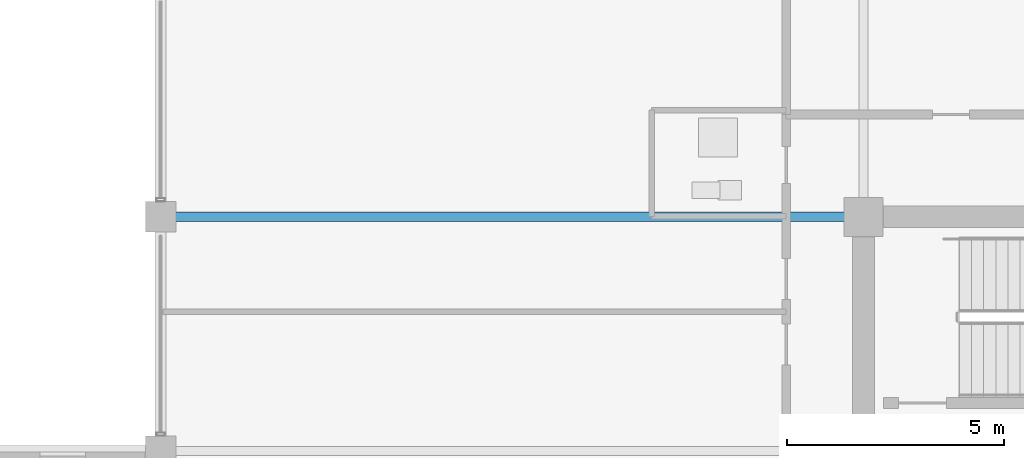
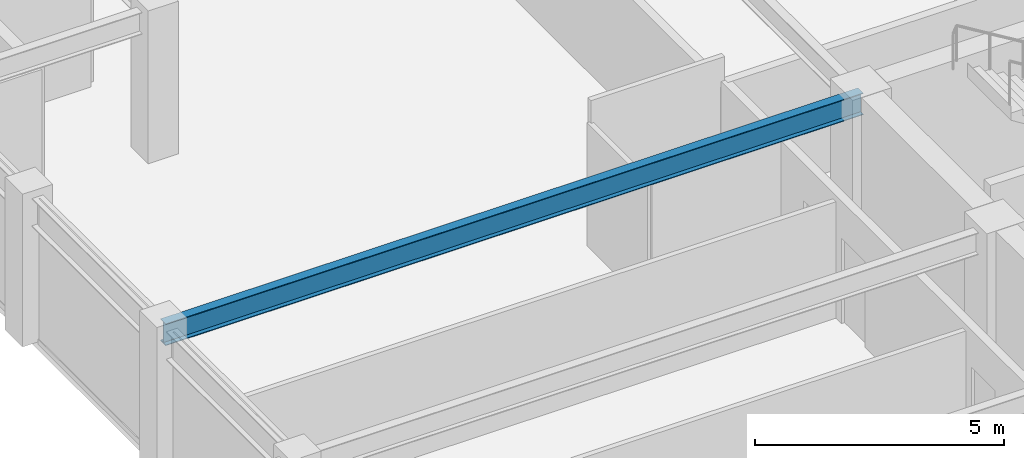
# One storey, part 14 of 31: 1 beam.
"""IFC4 building model written with IfcOpenShell, lengths in metres."""

from ifc_helpers import new_model, si_unit, direction, frame, origin, origin_2d, place, context, subcontext, project, spatial, i_section, extrude, material, material_profile, profile_set, type_object, element, save


model = new_model("IFC4")

# Units and contexts
model_context = context("Model", 3, precision=1e-05, world=origin(), true_north=direction((0.0, 1.0)))
body_context = subcontext(model_context, "Body", "Model", "MODEL_VIEW")
ifc_project = project(units=[si_unit("LENGTHUNIT", "METRE"), si_unit("AREAUNIT", "SQUARE_METRE"), si_unit("VOLUMEUNIT", "CUBIC_METRE"), si_unit("PLANEANGLEUNIT", "RADIAN"), si_unit("MASSUNIT", "GRAM", prefix="KILO")], contexts=[model_context])

# Site, building, storey
site_placement = place(None, origin())
site = spatial("IfcSite", under=ifc_project, at=site_placement, CompositionType="ELEMENT")
building_placement = place(site_placement, origin())
building = spatial("IfcBuilding", under=site, at=building_placement, Name="Surkhivell Harbour Commons", CompositionType="ELEMENT")
storey_placement = place(building_placement, frame((0.0, 0.0, 315.0)))
storey = spatial("IfcBuildingStorey", under=building, at=storey_placement, Name="L82", CompositionType="ELEMENT", Elevation=315.0)

# Beam
ifc_material = material(Name="Steel S355", Category="steel")
ifc_material_profile = material_profile(ifc_material, i_section(OverallWidth=0.2099609375, OverallDepth=0.537109375, WebThickness=0.0107421875, FlangeThickness=0.017333984375, at=origin_2d()), Name="UB533x210x101")
ifc_profile_set = profile_set([ifc_material_profile], Name="Steel S355")
beam_type = type_object("IfcBeamType", Name="BM-GRD-533B", PredefinedType="BEAM", material=ifc_profile_set)
beam_placement = place(storey_placement, frame((-27.0, 10.800048828125, 3.301513671875), z_axis=(1.0, 0.0, 0.0), x_axis=(0.0, 1.0, 0.0)))
element("IfcBeam", 1, at=beam_placement, inside=storey, type_object=beam_type, Name="L82 Floor Girder (-27.0,10.8)", PredefinedType="BEAM", context=body_context, shape_type="SweptSolid", body=[
    extrude(i_section(OverallWidth=0.2099609375, OverallDepth=0.537109375, WebThickness=0.0107421875, FlangeThickness=0.017333984375, at=origin_2d()), origin(), (0.0, 0.0, 1.0), 16.199951171875),
])

save(model, "model.ifc")
